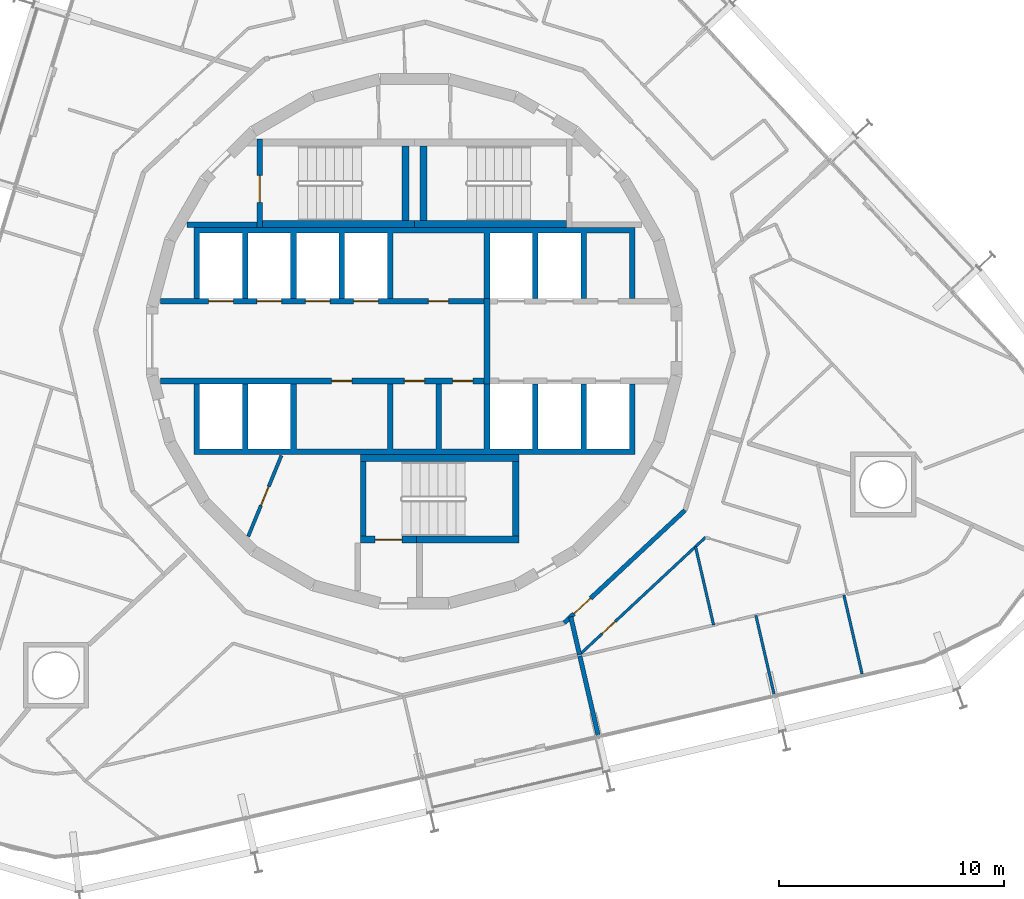
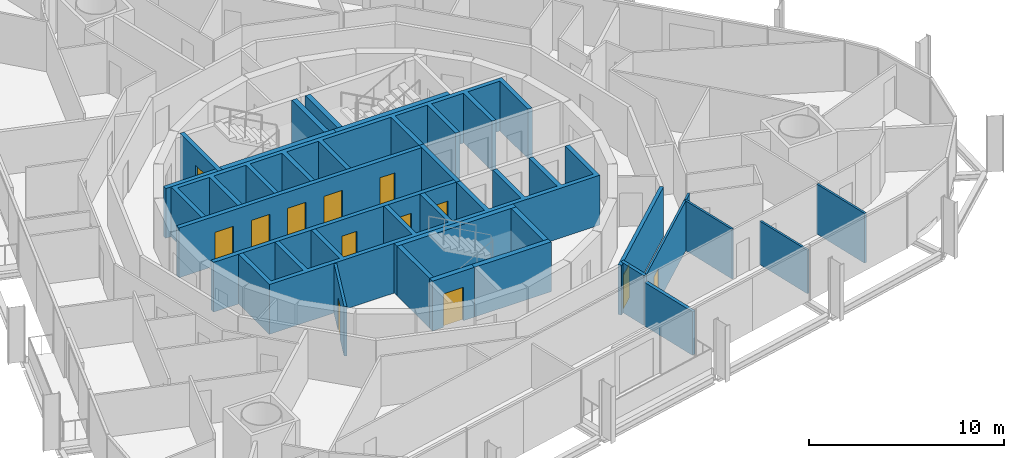
# One storey, part 13 of 18: 24 walls, 13 doors, 13 openings.
"""IFC4 building model written with IfcOpenShell, lengths in metres."""

import ifcopenshell
import ifcopenshell.guid

model = None  # the IFC model being written
_history = None  # IfcOwnerHistory: only IFC2X3 demands one
_inside = {}  # id of a spatial element -> (the spatial element, [elements in it])
_under = {}  # id of a project, library or spatial element -> (it, [spatial elements below it])
_declared = {}  # id of a project -> (the project, [libraries it declares])
_typed = {}  # id of a type object -> (the type object, [elements of that type])
_made_of = {}  # id of a material, layer set ... -> (it, [elements and type objects made of it])


def new_model(schema):
    """Start an empty IFC model of exactly this schema.

    Asked for "IFC4X3", IfcOpenShell would pick the latest addendum, in which some entities
    have other attributes; the version numbers below select the first issue.
    IFC2X3 requires an IfcOwnerHistory on every rooted entity: one is made here for all.
    """
    global model, _history
    if schema == "IFC4X3":
        model = ifcopenshell.file(schema_version=(4, 3, 0, 0))
    else:
        model = ifcopenshell.file(schema=schema)
    _inside.clear()
    _under.clear()
    _declared.clear()
    _typed.clear()
    _made_of.clear()
    _history = None
    if model.schema == "IFC2X3":
        org = make("IfcOrganization", Name="unknown")
        user = make(
            "IfcPersonAndOrganization",
            ThePerson=make("IfcPerson", FamilyName="unknown"),
            TheOrganization=org,
        )
        app = make(
            "IfcApplication",
            ApplicationDeveloper=org,
            Version="unknown",
            ApplicationFullName="unknown",
            ApplicationIdentifier="unknown",
        )
        _history = make(
            "IfcOwnerHistory",
            OwningUser=user,
            OwningApplication=app,
            ChangeAction="ADDED",
            CreationDate=0,
        )
    return model


def make(cls, **values):
    """One entity of the class cls with the attributes given. An attribute that is None is left unset."""
    return model.create_entity(
        cls, **{name: value for name, value in values.items() if value is not None}
    )


def rooted(cls, **values):
    """An entity with a GlobalId (a new one), such as an element, a storey or a relation."""
    return make(cls, GlobalId=ifcopenshell.guid.new(), OwnerHistory=_history, **values)


def si_unit(unit_type, name, prefix=None):
    """IfcSIUnit, for example si_unit("LENGTHUNIT", "METRE", prefix="MILLI")."""
    return make("IfcSIUnit", UnitType=unit_type, Prefix=prefix, Name=name)


def assignment(units):
    """IfcUnitAssignment: the units of a project."""
    return None if units is None else make("IfcUnitAssignment", Units=units)


def point(xyz):
    """IfcCartesianPoint."""
    return None if xyz is None else make("IfcCartesianPoint", Coordinates=xyz)


def direction(xyz):
    """IfcDirection."""
    return None if xyz is None else make("IfcDirection", DirectionRatios=xyz)


def frame(location, z_axis=None, x_axis=None):
    """IfcAxis2Placement3D, a coordinate frame: its origin and axes. An axis left out is left unset."""
    return make(
        "IfcAxis2Placement3D",
        Location=point(location),
        Axis=direction(z_axis),
        RefDirection=direction(x_axis),
    )


def frame_2d(location, x_axis=None):
    """IfcAxis2Placement2D, a coordinate frame in the plane: its origin and x axis."""
    return make(
        "IfcAxis2Placement2D", Location=point(location), RefDirection=direction(x_axis)
    )


def origin():
    """The frame at (0, 0, 0) with its axes left unset."""
    return frame((0.0, 0.0, 0.0))


def place(relative_to, where):
    """IfcLocalPlacement: puts the frame where relative to a parent placement (None: the world)."""
    return make(
        "IfcLocalPlacement", PlacementRelTo=relative_to, RelativePlacement=where
    )


def context(
    kind, dimensions, precision=None, world=None, true_north=None, identifier=None
):
    """IfcGeometricRepresentationContext, for example the 3D "Model" context."""
    return make(
        "IfcGeometricRepresentationContext",
        ContextIdentifier=identifier,
        ContextType=kind,
        CoordinateSpaceDimension=dimensions,
        Precision=precision,
        WorldCoordinateSystem=world,
        TrueNorth=true_north,
    )


def subcontext(parent, identifier, kind, view, scale=None):
    """IfcGeometricRepresentationSubContext, for example "Body" below "Model"."""
    return make(
        "IfcGeometricRepresentationSubContext",
        ContextIdentifier=identifier,
        ContextType=kind,
        ParentContext=parent,
        TargetScale=scale,
        TargetView=view,
    )


def project(units=None, contexts=None):
    """IfcProject with its units and contexts."""
    return rooted(
        "IfcProject",
        Name="project",
        RepresentationContexts=contexts,
        UnitsInContext=assignment(units),
    )


def spatial(cls, under=None, at=None, **own):
    """A site, building, storey or space (cls), placed at a placement, below another one or the project."""
    s = rooted(cls, ObjectPlacement=at, **own)
    if under is not None:
        _under.setdefault(under.id(), (under, []))[1].append(s)
    return s


def polyline(points):
    """IfcPolyline through the points."""
    return make("IfcPolyline", Points=[point(p) for p in points])


def profile(cls, at=None, kind="AREA", **sizes):
    """A parametric profile (cls). Its sizes go by their IFC names, for example OverallWidth=200.0."""
    return make(cls, ProfileType=kind, Position=at, **sizes)


def rectangle(**sizes):
    """IfcRectangleProfileDef."""
    return profile("IfcRectangleProfileDef", **sizes)


def outline(outer, holes=None, kind="AREA"):
    """IfcArbitraryClosedProfileDef: a profile drawn as a closed curve; with holes, ...WithVoids."""
    if holes is None:
        return make("IfcArbitraryClosedProfileDef", ProfileType=kind, OuterCurve=outer)
    return make(
        "IfcArbitraryProfileDefWithVoids",
        ProfileType=kind,
        OuterCurve=outer,
        InnerCurves=holes,
    )


def extrude(swept, where, along, depth):
    """IfcExtrudedAreaSolid: the profile swept, set in the frame where, extruded along a direction by depth."""
    return make(
        "IfcExtrudedAreaSolid",
        SweptArea=swept,
        Position=where,
        ExtrudedDirection=direction(along),
        Depth=depth,
    )


def shape(context_of_items, identifier, shape_type, items):
    """IfcShapeRepresentation: the items that make up one representation, for example the "Body"."""
    return make(
        "IfcShapeRepresentation",
        ContextOfItems=context_of_items,
        RepresentationIdentifier=identifier,
        RepresentationType=shape_type,
        Items=items,
    )


def material(Name=None, Category=None):
    """IfcMaterial."""
    return make("IfcMaterial", Name=Name, Category=Category)


def layer(
    of_material, thickness, ventilated=None, Name=None, Category=None, Priority=None
):
    """IfcMaterialLayer: one layer of a wall or slab, of a material (None: an air gap)."""
    return make(
        "IfcMaterialLayer",
        Material=of_material,
        LayerThickness=thickness,
        IsVentilated=ventilated,
        Name=Name,
        Category=Category,
        Priority=Priority,
    )


def layer_set(layers, Name=None):
    """IfcMaterialLayerSet."""
    return make("IfcMaterialLayerSet", MaterialLayers=layers, LayerSetName=Name)


def made_of(thing, what):
    """Note that an element or type object is made of a material, layer set ...; save() writes the relation."""
    if what is not None:
        _made_of.setdefault(what.id(), (what, []))[1].append(thing)
    return thing


def type_object(cls, material=None, **own):
    """A type object (cls), such as IfcWallType, which elements share."""
    return made_of(rooted(cls, **own), material)


def element(
    cls,
    number,
    at=None,
    inside=None,
    cuts=None,
    type_object=None,
    material=None,
    context=None,
    identifier="Body",
    shape_type=None,
    held_by="IfcProductDefinitionShape",
    body=None,
    shapes=None,
    **own,
):
    """One element of the class cls, such as IfcWall. Its Tag is "e" and its number.

    at: its placement. inside: the storey or other place that contains it. cuts: it is an
    opening in that element (IfcRelVoidsElement). A single representation is given by context,
    identifier, shape_type and body (its items); several are given by shapes. held_by: the class
    of the entity that holds the representations. save() writes the other relations.
    """
    e = rooted(cls, Tag="e%d" % number, ObjectPlacement=at, **own)
    if body is not None:
        shapes = [shape(context, identifier, shape_type, body)]
    if shapes is not None:
        e.Representation = make(held_by, Representations=shapes)
    if inside is not None:
        _inside.setdefault(inside.id(), (inside, []))[1].append(e)
    if cuts is not None:
        rooted(
            "IfcRelVoidsElement", RelatingBuildingElement=cuts, RelatedOpeningElement=e
        )
    if type_object is not None:
        _typed.setdefault(type_object.id(), (type_object, []))[1].append(e)
    return made_of(e, material)


def fill(opening, filler):
    """IfcRelFillsElement: the door or window that sits in an opening."""
    return rooted(
        "IfcRelFillsElement",
        RelatingOpeningElement=opening,
        RelatedBuildingElement=filler,
    )


def aggregate(whole, parts):
    """IfcRelAggregates: a whole, such as a stair, and the parts it consists of."""
    return rooted("IfcRelAggregates", RelatingObject=whole, RelatedObjects=parts)


def save(model, path):
    """Write the relations noted so far, then the file.

    IfcRelAggregates (storeys below a building ...), IfcRelContainedInSpatialStructure (elements
    in a storey), IfcRelDefinesByType, IfcRelAssociatesMaterial and IfcRelDeclares: one each for
    every whole, place, type object, material and project.
    """
    for whole, parts in _under.values():
        aggregate(whole, parts)
    for where, things in _inside.values():
        rooted(
            "IfcRelContainedInSpatialStructure",
            RelatedElements=things,
            RelatingStructure=where,
        )
    for kind, things in _typed.values():
        rooted("IfcRelDefinesByType", RelatedObjects=things, RelatingType=kind)
    for what, things in _made_of.values():
        rooted("IfcRelAssociatesMaterial", RelatedObjects=things, RelatingMaterial=what)
    for by, libraries in _declared.values():
        rooted("IfcRelDeclares", RelatingContext=by, RelatedDefinitions=libraries)
    model.write(path)


model = new_model("IFC4")

# Units and contexts
model_context = context("Model", 3, precision=1e-05, world=origin(), true_north=direction((0.0, 1.0)))
body_context = subcontext(model_context, "Body", "Model", "MODEL_VIEW")
ifc_project = project(units=[si_unit("LENGTHUNIT", "METRE"), si_unit("AREAUNIT", "SQUARE_METRE"), si_unit("VOLUMEUNIT", "CUBIC_METRE"), si_unit("PLANEANGLEUNIT", "RADIAN"), si_unit("MASSUNIT", "GRAM", prefix="KILO")], contexts=[model_context])

# Site, building, storey
site_placement = place(None, origin())
site = spatial("IfcSite", under=ifc_project, at=site_placement, CompositionType="ELEMENT")
building_placement = place(site_placement, origin())
building = spatial("IfcBuilding", under=site, at=building_placement, Name="Spindle Arch Residences", CompositionType="ELEMENT")
storey_placement = place(building_placement, frame((0.0, 0.0, 130.89990234375)))
storey = spatial("IfcBuildingStorey", under=building, at=storey_placement, Name="L32", CompositionType="ELEMENT", Elevation=130.89990234375)

# Wall, opening, door
ifc_material_1 = material(Name="Calcium silicate block, plastered")
ifc_layer_1 = layer(ifc_material_1, 0.199951171875)
ifc_layer_set_1 = layer_set([ifc_layer_1], Name="Corridor wall 200")
wall_type_1 = type_object("IfcWallType", Name="Corridor wall 200", PredefinedType="STANDARD", material=ifc_layer_set_1)
wall_1_placement = place(storey_placement, frame((6.65869140625, -12.523193359375, 0.0), z_axis=(0.0, 0.0, 1.0), x_axis=(0.731350455479, 0.682001841105, 0.0)))
wall_1 = element("IfcWall", 1, at=wall_1_placement, inside=storey, type_object=wall_type_1, Name="Corridor wall R3B1-W015", PredefinedType="STANDARD", context=body_context, shape_type="SweptSolid", body=[
    extrude(rectangle(XDim=7.341796875, YDim=0.199951171875, at=frame_2d((3.6708984375, 0.0))), origin(), (0.0, 0.0, 1.0), 3.1201171875),
])
opening_1_placement = place(wall_1_placement, frame((0.596923828125, 0.0, 0.0)))
opening_1 = element("IfcOpeningElement", 2, at=opening_1_placement, cuts=wall_1, Name="Opening R3B1-FD05", PredefinedType="OPENING", context=body_context, shape_type="SweptSolid", body=[
    extrude(rectangle(XDim=1.0, YDim=2.10009765625, at=frame_2d((0.5, 1.050048828125))), frame((0.0, 0.10986328125, 0.0), z_axis=(0.0, -1.0, 0.0), x_axis=(1.0, 0.0, 0.0)), (0.0, 0.0, 1.0), 0.219970703125),
])
ifc_material_2 = material(Name="Timber, fire-resisting door set", Category="wood")
door_type_1 = type_object("IfcDoorType", Name="Flat entrance door 1000x2100", OperationType="NOTDEFINED", PredefinedType="DOOR", material=ifc_material_2)
door_1_placement = place(opening_1_placement, origin())
door_1 = element("IfcDoor", 3, at=door_1_placement, inside=storey, type_object=door_type_1, Name="Flat entrance door R3B1-FD05", OperationType="SINGLE_SWING_RIGHT", OverallHeight=2.10009765625, OverallWidth=1.0, PredefinedType="DOOR", context=body_context, shape_type="SweptSolid", body=[
    extrude(rectangle(XDim=1.0, YDim=2.10009765625, at=frame_2d((0.5, 1.050048828125))), frame((0.0, 0.02490234375, 0.0), z_axis=(0.0, -1.0, 0.0), x_axis=(1.0, 0.0, 0.0)), (0.0, 0.0, 1.0), 0.050048828125),
])
fill(opening_1, door_1)

# Wall
ifc_material_3 = material(Name="Concrete C40/50", Category="concrete")
ifc_layer_2 = layer(ifc_material_3, 0.25)
ifc_layer_set_2 = layer_set([ifc_layer_2], Name="Fire-lift lobby wall 250")
wall_type_2 = type_object("IfcWallType", Name="Fire-lift lobby wall 250", PredefinedType="SHEAR", material=ifc_layer_set_2)
wall_2_placement = place(storey_placement, frame((3.22509765625, -1.89990234375, 0.0), z_axis=(0.0, 0.0, 1.0), x_axis=(0.0, 1.0, 0.0)))
element("IfcWall", 4, at=wall_2_placement, inside=storey, type_object=wall_type_2, Name="Fire-fighting lobby partition", PredefinedType="SHEAR", context=body_context, shape_type="SweptSolid", body=[
    extrude(rectangle(XDim=3.7998046875, YDim=0.25, at=frame_2d((1.89990234375, 0.0))), origin(), (0.0, 0.0, 1.0), 3.1201171875),
])

# Wall, opening, door
ifc_material_4 = material(Name="Plasterboard on steel studs", Category="steel")
ifc_layer_3 = layer(ifc_material_4, 0.1201171875)
ifc_layer_set_3 = layer_set([ifc_layer_3], Name="Flat partition 120")
wall_type_3 = type_object("IfcWallType", Name="Flat partition 120", PredefinedType="PARTITIONING", material=ifc_layer_set_3)
wall_3_placement = place(storey_placement, frame((7.3876953125, -13.894287109375, 0.0), z_axis=(0.0, 0.0, 1.0), x_axis=(0.731346321845, 0.682006273815, 0.0)))
wall_3 = element("IfcWall", 5, at=wall_3_placement, inside=storey, type_object=wall_type_3, Name="Flat partition R3B1-W085", PredefinedType="PARTITIONING", context=body_context, shape_type="SweptSolid", body=[
    extrude(rectangle(XDim=7.58544921875, YDim=0.1201171875, at=frame_2d((3.792724609375, 0.0))), origin(), (0.0, 0.0, 1.0), 3.1201171875),
])
opening_2_placement = place(wall_3_placement, frame((1.300048828125, 0.0, 0.0)))
opening_2 = element("IfcOpeningElement", 6, at=opening_2_placement, cuts=wall_3, Name="Opening R3B1-BD06", PredefinedType="OPENING", context=body_context, shape_type="SweptSolid", body=[
    extrude(rectangle(XDim=0.800048828125, YDim=2.10009765625, at=frame_2d((0.39990234375, 1.050048828125))), frame((0.0, 0.070068359375, 0.0), z_axis=(0.0, -1.0, 0.0), x_axis=(1.0, 0.0, 0.0)), (0.0, 0.0, 1.0), 0.14013671875),
])
ifc_material_5 = material(Name="Timber door set", Category="wood")
door_type_2 = type_object("IfcDoorType", Name="Bathroom door 800x2100", OperationType="NOTDEFINED", PredefinedType="DOOR", material=ifc_material_5)
door_2_placement = place(opening_2_placement, origin())
door_2 = element("IfcDoor", 7, at=door_2_placement, inside=storey, type_object=door_type_2, Name="Bathroom door R3B1-BD06", OperationType="SINGLE_SWING_RIGHT", OverallHeight=2.10009765625, OverallWidth=0.800048828125, PredefinedType="DOOR", context=body_context, shape_type="SweptSolid", body=[
    extrude(rectangle(XDim=0.800048828125, YDim=2.10009765625, at=frame_2d((0.39990234375, 1.050048828125))), frame((0.0, 0.02490234375, 0.0), z_axis=(0.0, -1.0, 0.0), x_axis=(1.0, 0.0, 0.0)), (0.0, 0.0, 1.0), 0.050048828125),
])
fill(opening_2, door_2)

# Walls
wall_4_placement = place(storey_placement, frame((13.29833984375, -12.622802734375, 0.0), z_axis=(0.0, 0.0, 1.0), x_axis=(-0.22499394936, 0.974360160696, 0.0)))
element("IfcWall", 8, at=wall_4_placement, inside=storey, type_object=wall_type_3, Name="Flat partition R3B1-W091", PredefinedType="PARTITIONING", context=body_context, shape_type="SweptSolid", body=[
    extrude(rectangle(XDim=3.580810546875, YDim=0.1201171875, at=frame_2d((1.79052734375, 0.0))), origin(), (0.0, 0.0, 1.0), 3.1201171875),
])
wall_5_placement = place(storey_placement, frame((19.896240234375, -14.794189453125, 0.0), z_axis=(0.0, 0.0, 1.0), x_axis=(-0.224958568294, 0.974368330023, 0.0)))
element("IfcWall", 9, at=wall_5_placement, inside=storey, type_object=wall_type_3, Name="Flat partition R3B1-W092", PredefinedType="PARTITIONING", context=body_context, shape_type="SweptSolid", body=[
    extrude(rectangle(XDim=3.599853515625, YDim=0.1201171875, at=frame_2d((1.7998046875, 0.0))), origin(), (0.0, 0.0, 1.0), 3.1201171875),
])
ifc_material_6 = material(Name="Plasterboard on steel studs", Category="steel")
ifc_layer_4 = layer(ifc_material_6, 0.1201171875)
ifc_layer_set_4 = layer_set([ifc_layer_4], Name="Flat partition 120 under beam 2730")
wall_type_4 = type_object("IfcWallType", Name="Flat partition 120 under beam 2730", PredefinedType="PARTITIONING", material=ifc_layer_set_4)
wall_6_placement = place(storey_placement, frame((15.984619140625, -15.697509765625, 0.0), z_axis=(0.0, 0.0, 1.0), x_axis=(-0.224943703639, 0.9743717618, 0.0)))
element("IfcWall", 10, at=wall_6_placement, inside=storey, type_object=wall_type_4, Name="Flat partition R3B1-W090", PredefinedType="PARTITIONING", context=body_context, shape_type="SweptSolid", body=[
    extrude(rectangle(XDim=3.60009765625, YDim=0.1201171875, at=frame_2d((1.800048828125, 0.0))), origin(), (0.0, 0.0, 1.0), 2.72998046875),
])
ifc_material_7 = material(Name="Calcium silicate block, plastered")
ifc_layer_5 = layer(ifc_material_7, 0.199951171875)
ifc_layer_set_5 = layer_set([ifc_layer_5], Name="Flat party wall 200")
wall_type_5 = type_object("IfcWallType", Name="Flat party wall 200", PredefinedType="STANDARD", material=ifc_layer_set_5)
wall_7_placement = place(storey_placement, frame((7.33984375, -13.9462890625, 0.0), z_axis=(0.0, 0.0, 1.0), x_axis=(-0.224849249613, 0.974393562658, 0.0)))
element("IfcWall", 11, at=wall_7_placement, inside=storey, type_object=wall_type_5, Name="Flat party wall R3B1-W022", PredefinedType="STANDARD", context=body_context, shape_type="SweptSolid", body=[
    extrude(rectangle(XDim=1.73828125, YDim=0.199951171875, at=frame_2d((0.869140625, 0.0))), origin(), (0.0, 0.0, 1.0), 3.1201171875),
])
ifc_material_8 = material(Name="Calcium silicate block, plastered")
ifc_layer_6 = layer(ifc_material_8, 0.199951171875)
ifc_layer_set_6 = layer_set([ifc_layer_6], Name="Flat party wall 200 under beam 2730")
wall_type_6 = type_object("IfcWallType", Name="Flat party wall 200 under beam 2730", PredefinedType="STANDARD", material=ifc_layer_set_6)
wall_8_placement = place(storey_placement, frame((8.1611328125, -17.503662109375, 0.0), z_axis=(0.0, 0.0, 1.0), x_axis=(-0.224943703639, 0.9743717618, 0.0)))
element("IfcWall", 12, at=wall_8_placement, inside=storey, type_object=wall_type_6, Name="Flat party wall R3B1-W023", PredefinedType="STANDARD", context=body_context, shape_type="SweptSolid", body=[
    extrude(rectangle(XDim=3.60009765625, YDim=0.199951171875, at=frame_2d((1.800048828125, 0.0))), origin(), (0.0, 0.0, 1.0), 2.72998046875),
])

# Wall, openings, doors
ifc_material_9 = material(Name="Concrete C50/60", Category="concrete")
ifc_layer_7 = layer(ifc_material_9, 0.25)
ifc_layer_set_7 = layer_set([ifc_layer_7], Name="Lift shaft wall 250")
wall_type_7 = type_object("IfcWallType", Name="Lift shaft wall 250", PredefinedType="SHEAR", material=ifc_layer_set_7)
wall_9_placement = place(storey_placement, frame((-11.280029296875, 1.77490234375, 0.0), z_axis=(0.0, 0.0, 1.0), x_axis=(1.0, 0.0, 0.0)))
wall_9 = element("IfcWall", 13, at=wall_9_placement, inside=storey, type_object=wall_type_7, Name="Lift shaft front wall NW", PredefinedType="SHEAR", context=body_context, shape_type="SweptSolid", body=[
    extrude(rectangle(XDim=14.380126953125, YDim=0.25, at=frame_2d((7.18994140625, 0.0))), origin(), (0.0, 0.0, 1.0), 3.1201171875),
])
opening_3_placement = place(wall_9_placement, frame((2.1298828125, 0.0, 0.0)))
opening_3 = element("IfcOpeningElement", 14, at=opening_3_placement, cuts=wall_9, Name="Opening R3B1-LD01", PredefinedType="OPENING", context=body_context, shape_type="SweptSolid", body=[
    extrude(rectangle(XDim=1.10009765625, YDim=2.10009765625, at=frame_2d((0.550048828125, 1.050048828125))), frame((0.0, 0.135009765625, 0.0), z_axis=(0.0, -1.0, 0.0), x_axis=(1.0, 0.0, 0.0)), (0.0, 0.0, 1.0), 0.27001953125),
])
opening_4_placement = place(wall_9_placement, frame((4.280029296875, 0.0, 0.0)))
opening_4 = element("IfcOpeningElement", 15, at=opening_4_placement, cuts=wall_9, Name="Opening R3B1-LD02", PredefinedType="OPENING", context=body_context, shape_type="SweptSolid", body=[
    extrude(rectangle(XDim=1.10009765625, YDim=2.10009765625, at=frame_2d((0.550048828125, 1.050048828125))), frame((0.0, 0.135009765625, 0.0), z_axis=(0.0, -1.0, 0.0), x_axis=(1.0, 0.0, 0.0)), (0.0, 0.0, 1.0), 0.27001953125),
])
opening_5_placement = place(wall_9_placement, frame((6.429931640625, 0.0, 0.0)))
opening_5 = element("IfcOpeningElement", 16, at=opening_5_placement, cuts=wall_9, Name="Opening R3B1-LD03", PredefinedType="OPENING", context=body_context, shape_type="SweptSolid", body=[
    extrude(rectangle(XDim=1.10009765625, YDim=2.10009765625, at=frame_2d((0.550048828125, 1.050048828125))), frame((0.0, 0.135009765625, 0.0), z_axis=(0.0, -1.0, 0.0), x_axis=(1.0, 0.0, 0.0)), (0.0, 0.0, 1.0), 0.27001953125),
])
opening_6_placement = place(wall_9_placement, frame((8.580078125, 0.0, 0.0)))
opening_6 = element("IfcOpeningElement", 17, at=opening_6_placement, cuts=wall_9, Name="Opening R3B1-LD04", PredefinedType="OPENING", context=body_context, shape_type="SweptSolid", body=[
    extrude(rectangle(XDim=1.10009765625, YDim=2.10009765625, at=frame_2d((0.550048828125, 1.050048828125))), frame((0.0, 0.135009765625, 0.0), z_axis=(0.0, -1.0, 0.0), x_axis=(1.0, 0.0, 0.0)), (0.0, 0.0, 1.0), 0.27001953125),
])
opening_7_placement = place(wall_9_placement, frame((11.905029296875, 0.0, 0.0)))
opening_7 = element("IfcOpeningElement", 18, at=opening_7_placement, cuts=wall_9, Name="Opening R3B1-WD01", PredefinedType="OPENING", context=body_context, shape_type="SweptSolid", body=[
    extrude(rectangle(XDim=0.89990234375, YDim=2.10009765625, at=frame_2d((0.449951171875, 1.050048828125))), frame((0.0, 0.135009765625, 0.0), z_axis=(0.0, -1.0, 0.0), x_axis=(1.0, 0.0, 0.0)), (0.0, 0.0, 1.0), 0.27001953125),
])
ifc_material_10 = material(Name="Steel, fire-resisting landing door", Category="steel")
door_type_3 = type_object("IfcDoorType", Name="Lift landing door 1100x2100", OperationType="DOUBLE_DOOR_SLIDING", PredefinedType="DOOR", material=ifc_material_10)
door_3_placement = place(opening_3_placement, origin())
door_3 = element("IfcDoor", 19, at=door_3_placement, inside=storey, type_object=door_type_3, Name="Lift landing door R3B1-LD01", OperationType="DOUBLE_DOOR_SLIDING", OverallHeight=2.10009765625, OverallWidth=1.10009765625, PredefinedType="DOOR", context=body_context, shape_type="SweptSolid", body=[
    extrude(rectangle(XDim=1.10009765625, YDim=2.10009765625, at=frame_2d((0.550048828125, 1.050048828125))), frame((0.0, 0.02490234375, 0.0), z_axis=(0.0, -1.0, 0.0), x_axis=(1.0, 0.0, 0.0)), (0.0, 0.0, 1.0), 0.050048828125),
])
fill(opening_3, door_3)
door_4_placement = place(opening_4_placement, origin())
door_4 = element("IfcDoor", 20, at=door_4_placement, inside=storey, type_object=door_type_3, Name="Lift landing door R3B1-LD02", OperationType="DOUBLE_DOOR_SLIDING", OverallHeight=2.10009765625, OverallWidth=1.10009765625, PredefinedType="DOOR", context=body_context, shape_type="SweptSolid", body=[
    extrude(rectangle(XDim=1.10009765625, YDim=2.10009765625, at=frame_2d((0.550048828125, 1.050048828125))), frame((0.0, 0.02490234375, 0.0), z_axis=(0.0, -1.0, 0.0), x_axis=(1.0, 0.0, 0.0)), (0.0, 0.0, 1.0), 0.050048828125),
])
fill(opening_4, door_4)
door_5_placement = place(opening_5_placement, origin())
door_5 = element("IfcDoor", 21, at=door_5_placement, inside=storey, type_object=door_type_3, Name="Lift landing door R3B1-LD03", OperationType="DOUBLE_DOOR_SLIDING", OverallHeight=2.10009765625, OverallWidth=1.10009765625, PredefinedType="DOOR", context=body_context, shape_type="SweptSolid", body=[
    extrude(rectangle(XDim=1.10009765625, YDim=2.10009765625, at=frame_2d((0.550048828125, 1.050048828125))), frame((0.0, 0.02490234375, 0.0), z_axis=(0.0, -1.0, 0.0), x_axis=(1.0, 0.0, 0.0)), (0.0, 0.0, 1.0), 0.050048828125),
])
fill(opening_5, door_5)
door_6_placement = place(opening_6_placement, origin())
door_6 = element("IfcDoor", 22, at=door_6_placement, inside=storey, type_object=door_type_3, Name="Lift landing door R3B1-LD04", OperationType="DOUBLE_DOOR_SLIDING", OverallHeight=2.10009765625, OverallWidth=1.10009765625, PredefinedType="DOOR", context=body_context, shape_type="SweptSolid", body=[
    extrude(rectangle(XDim=1.10009765625, YDim=2.10009765625, at=frame_2d((0.550048828125, 1.050048828125))), frame((0.0, 0.02490234375, 0.0), z_axis=(0.0, -1.0, 0.0), x_axis=(1.0, 0.0, 0.0)), (0.0, 0.0, 1.0), 0.050048828125),
])
fill(opening_6, door_6)
ifc_material_11 = material(Name="Steel, fire-resisting door", Category="steel")
door_type_4 = type_object("IfcDoorType", Name="Service room door 900x2100", OperationType="SINGLE_SWING_LEFT", PredefinedType="DOOR", material=ifc_material_11)
door_7_placement = place(opening_7_placement, origin())
door_7 = element("IfcDoor", 23, at=door_7_placement, inside=storey, type_object=door_type_4, Name="Service room door R3B1-WD01", OperationType="SINGLE_SWING_RIGHT", OverallHeight=2.10009765625, OverallWidth=0.89990234375, PredefinedType="DOOR", context=body_context, shape_type="SweptSolid", body=[
    extrude(rectangle(XDim=0.89990234375, YDim=2.10009765625, at=frame_2d((0.449951171875, 1.050048828125))), frame((0.0, 0.02490234375, 0.0), z_axis=(0.0, -1.0, 0.0), x_axis=(1.0, 0.0, 0.0)), (0.0, 0.0, 1.0), 0.050048828125),
])
fill(opening_7, door_7)

wall_10_placement = place(storey_placement, frame((-11.280029296875, -1.77490234375, 0.0), z_axis=(0.0, 0.0, 1.0), x_axis=(1.0, 0.0, 0.0)))
wall_10 = element("IfcWall", 24, at=wall_10_placement, inside=storey, type_object=wall_type_7, Name="Lift shaft front wall SW", PredefinedType="SHEAR", context=body_context, shape_type="SweptSolid", body=[
    extrude(rectangle(XDim=14.380126953125, YDim=0.25, at=frame_2d((7.18994140625, 0.0))), origin(), (0.0, 0.0, 1.0), 3.1201171875),
])
opening_8_placement = place(wall_10_placement, frame((7.60498046875, 0.0, 0.0)))
opening_8 = element("IfcOpeningElement", 25, at=opening_8_placement, cuts=wall_10, Name="Opening R3B1-WD03", PredefinedType="OPENING", context=body_context, shape_type="SweptSolid", body=[
    extrude(rectangle(XDim=0.89990234375, YDim=2.10009765625, at=frame_2d((0.449951171875, 1.050048828125))), frame((0.0, 0.135009765625, 0.0), z_axis=(0.0, -1.0, 0.0), x_axis=(1.0, 0.0, 0.0)), (0.0, 0.0, 1.0), 0.27001953125),
])
opening_9_placement = place(wall_10_placement, frame((10.830078125, 0.0, 0.0)))
opening_9 = element("IfcOpeningElement", 26, at=opening_9_placement, cuts=wall_10, Name="Opening R3B1-WD04", PredefinedType="OPENING", context=body_context, shape_type="SweptSolid", body=[
    extrude(rectangle(XDim=0.89990234375, YDim=2.10009765625, at=frame_2d((0.449951171875, 1.050048828125))), frame((0.0, 0.135009765625, 0.0), z_axis=(0.0, -1.0, 0.0), x_axis=(1.0, 0.0, 0.0)), (0.0, 0.0, 1.0), 0.27001953125),
])
opening_10_placement = place(wall_10_placement, frame((12.97998046875, 0.0, 0.0)))
opening_10 = element("IfcOpeningElement", 27, at=opening_10_placement, cuts=wall_10, Name="Opening R3B1-WD05", PredefinedType="OPENING", context=body_context, shape_type="SweptSolid", body=[
    extrude(rectangle(XDim=0.89990234375, YDim=2.10009765625, at=frame_2d((0.449951171875, 1.050048828125))), frame((0.0, 0.135009765625, 0.0), z_axis=(0.0, -1.0, 0.0), x_axis=(1.0, 0.0, 0.0)), (0.0, 0.0, 1.0), 0.27001953125),
])
door_8_placement = place(opening_8_placement, origin())
door_8 = element("IfcDoor", 28, at=door_8_placement, inside=storey, type_object=door_type_4, Name="Service room door R3B1-WD03", OperationType="SINGLE_SWING_RIGHT", OverallHeight=2.10009765625, OverallWidth=0.89990234375, PredefinedType="DOOR", context=body_context, shape_type="SweptSolid", body=[
    extrude(rectangle(XDim=0.89990234375, YDim=2.10009765625, at=frame_2d((0.449951171875, 1.050048828125))), frame((0.0, 0.02490234375, 0.0), z_axis=(0.0, -1.0, 0.0), x_axis=(1.0, 0.0, 0.0)), (0.0, 0.0, 1.0), 0.050048828125),
])
fill(opening_8, door_8)
door_9_placement = place(opening_9_placement, origin())
door_9 = element("IfcDoor", 29, at=door_9_placement, inside=storey, type_object=door_type_4, Name="Service room door R3B1-WD04", OperationType="SINGLE_SWING_LEFT", OverallHeight=2.10009765625, OverallWidth=0.89990234375, PredefinedType="DOOR", context=body_context, shape_type="SweptSolid", body=[
    extrude(rectangle(XDim=0.89990234375, YDim=2.10009765625, at=frame_2d((0.449951171875, 1.050048828125))), frame((0.0, 0.02490234375, 0.0), z_axis=(0.0, -1.0, 0.0), x_axis=(1.0, 0.0, 0.0)), (0.0, 0.0, 1.0), 0.050048828125),
])
fill(opening_9, door_9)
door_10_placement = place(opening_10_placement, origin())
door_10 = element("IfcDoor", 30, at=door_10_placement, inside=storey, type_object=door_type_4, Name="Service room door R3B1-WD05", OperationType="SINGLE_SWING_RIGHT", OverallHeight=2.10009765625, OverallWidth=0.89990234375, PredefinedType="DOOR", context=body_context, shape_type="SweptSolid", body=[
    extrude(rectangle(XDim=0.89990234375, YDim=2.10009765625, at=frame_2d((0.449951171875, 1.050048828125))), frame((0.0, 0.02490234375, 0.0), z_axis=(0.0, -1.0, 0.0), x_axis=(1.0, 0.0, 0.0)), (0.0, 0.0, 1.0), 0.050048828125),
])
fill(opening_10, door_10)

# Walls
ifc_material_12 = material(Name="Concrete C50/60", Category="concrete")
wall_type_8 = type_object("IfcWallType", Name="Lift shaft wall profile", PredefinedType="SHEAR", material=ifc_material_12)
wall_11_placement = place(storey_placement, origin())
element("IfcWall", 31, at=wall_11_placement, inside=storey, type_object=wall_type_8, Name="Lift shaft walls N", PredefinedType="SHEAR", context=body_context, shape_type="SweptSolid", body=[
    extrude(outline(polyline([(-9.550048828125, 4.800048828125), (-7.64990234375, 4.800048828125), (-7.64990234375, 1.89990234375), (-7.39990234375, 1.89990234375), (-7.39990234375, 4.800048828125), (-5.5, 4.800048828125), (-5.5, 1.89990234375), (-5.25, 1.89990234375), (-5.25, 4.800048828125), (-3.35009765625, 4.800048828125), (-3.35009765625, 1.89990234375), (-3.10009765625, 1.89990234375), (-3.10009765625, 4.800048828125), (-1.199951171875, 4.800048828125), (-1.199951171875, 1.89990234375), (-0.949951171875, 1.89990234375), (-0.949951171875, 4.800048828125), (3.10009765625, 4.800048828125), (3.10009765625, 1.89990234375), (3.35009765625, 1.89990234375), (3.35009765625, 4.800048828125), (5.25, 4.800048828125), (5.25, 1.89990234375), (5.5, 1.89990234375), (5.5, 4.800048828125), (7.39990234375, 4.800048828125), (7.39990234375, 1.89990234375), (7.64990234375, 1.89990234375), (7.64990234375, 4.800048828125), (9.550048828125, 4.800048828125), (9.550048828125, 1.89990234375), (9.800048828125, 1.89990234375), (9.800048828125, 4.800048828125), (9.800048828125, 5.050048828125), (-9.800048828125, 5.050048828125), (-9.800048828125, 4.800048828125), (-9.800048828125, 1.89990234375), (-9.550048828125, 1.89990234375), (-9.550048828125, 4.800048828125)])), origin(), (0.0, 0.0, 1.0), 3.1201171875),
])
wall_12_placement = place(storey_placement, origin())
element("IfcWall", 32, at=wall_12_placement, inside=storey, type_object=wall_type_8, Name="Lift shaft walls S", PredefinedType="SHEAR", context=body_context, shape_type="SweptSolid", body=[
    extrude(outline(polyline([(9.800048828125, -5.050048828125), (9.800048828125, -4.800048828125), (9.800048828125, -1.89990234375), (9.550048828125, -1.89990234375), (9.550048828125, -4.800048828125), (7.64990234375, -4.800048828125), (7.64990234375, -1.89990234375), (7.39990234375, -1.89990234375), (7.39990234375, -4.800048828125), (5.5, -4.800048828125), (5.5, -1.89990234375), (5.25, -1.89990234375), (5.25, -4.800048828125), (3.35009765625, -4.800048828125), (3.35009765625, -1.89990234375), (3.10009765625, -1.89990234375), (3.10009765625, -4.800048828125), (1.199951171875, -4.800048828125), (1.199951171875, -1.89990234375), (0.949951171875, -1.89990234375), (0.949951171875, -4.800048828125), (-0.949951171875, -4.800048828125), (-0.949951171875, -1.89990234375), (-1.199951171875, -1.89990234375), (-1.199951171875, -4.800048828125), (-5.25, -4.800048828125), (-5.25, -1.89990234375), (-5.5, -1.89990234375), (-5.5, -4.800048828125), (-7.39990234375, -4.800048828125), (-7.39990234375, -1.89990234375), (-7.64990234375, -1.89990234375), (-7.64990234375, -4.800048828125), (-9.550048828125, -4.800048828125), (-9.550048828125, -1.89990234375), (-9.800048828125, -1.89990234375), (-9.800048828125, -4.800048828125), (-9.800048828125, -5.050048828125), (9.800048828125, -5.050048828125)])), origin(), (0.0, 0.0, 1.0), 3.1201171875),
])

# Wall, opening, door
ifc_material_13 = material(Name="Concrete C25/30", Category="concrete")
ifc_layer_8 = layer(ifc_material_13, 0.14990234375)
ifc_layer_set_8 = layer_set([ifc_layer_8], Name="Service room partition 150")
wall_type_9 = type_object("IfcWallType", Name="Service room partition 150", PredefinedType="PARTITIONING", material=ifc_layer_set_8)
wall_13_placement = place(storey_placement, frame((-7.385009765625, -8.680908203125, 0.0), z_axis=(0.0, 0.0, 1.0), x_axis=(0.379804590409, 0.925066739811, 0.0)))
wall_13 = element("IfcWall", 33, at=wall_13_placement, inside=storey, type_object=wall_type_9, Name="Core service room partition", PredefinedType="PARTITIONING", context=body_context, shape_type="SweptSolid", body=[
    extrude(rectangle(XDim=3.885009765625, YDim=0.14990234375, at=frame_2d((1.9423828125, 0.0))), origin(), (0.0, 0.0, 1.0), 3.1201171875),
])
opening_11_placement = place(wall_13_placement, frame((1.49267578125, 0.0, 0.0)))
opening_11 = element("IfcOpeningElement", 34, at=opening_11_placement, cuts=wall_13, Name="Opening R3B1-WD06", PredefinedType="OPENING", context=body_context, shape_type="SweptSolid", body=[
    extrude(rectangle(XDim=0.89990234375, YDim=2.10009765625, at=frame_2d((0.449951171875, 1.050048828125))), frame((0.0, 0.0849609375, 0.0), z_axis=(0.0, -1.0, 0.0), x_axis=(1.0, 0.0, 0.0)), (0.0, 0.0, 1.0), 0.169921875),
])
door_11_placement = place(opening_11_placement, origin())
door_11 = element("IfcDoor", 35, at=door_11_placement, inside=storey, type_object=door_type_4, Name="Service room door R3B1-WD06", OperationType="SINGLE_SWING_LEFT", OverallHeight=2.10009765625, OverallWidth=0.89990234375, PredefinedType="DOOR", context=body_context, shape_type="SweptSolid", body=[
    extrude(rectangle(XDim=0.89990234375, YDim=2.10009765625, at=frame_2d((0.449951171875, 1.050048828125))), frame((0.0, 0.02490234375, 0.0), z_axis=(0.0, -1.0, 0.0), x_axis=(1.0, 0.0, 0.0)), (0.0, 0.0, 1.0), 0.050048828125),
])
fill(opening_11, door_11)

# Wall
ifc_material_14 = material(Name="Concrete C40/50", Category="concrete")
ifc_layer_9 = layer(ifc_material_14, 0.25)
ifc_layer_set_9 = layer_set([ifc_layer_9], Name="Stair airlock wall 250")
wall_type_10 = type_object("IfcWallType", Name="Stair airlock wall 250", PredefinedType="SHEAR", material=ifc_layer_set_9)
wall_14_placement = place(storey_placement, frame((-7.0, 5.175048828125, 0.0), z_axis=(0.0, 0.0, 1.0), x_axis=(-1.0, 0.0, 0.0)))
element("IfcWall", 36, at=wall_14_placement, inside=storey, type_object=wall_type_10, Name="Stair ST-2 airlock wall S", PredefinedType="SHEAR", context=body_context, shape_type="SweptSolid", body=[
    extrude(rectangle(XDim=3.10009765625, YDim=0.25, at=frame_2d((1.550048828125, 0.0))), origin(), (0.0, 0.0, 1.0), 3.1201171875),
])

# Wall, opening, door
ifc_material_15 = material(Name="Concrete C50/60", Category="concrete")
ifc_layer_10 = layer(ifc_material_15, 0.25)
ifc_layer_set_10 = layer_set([ifc_layer_10], Name="Stair enclosure wall 250")
wall_type_11 = type_object("IfcWallType", Name="Stair enclosure wall 250", PredefinedType="SHEAR", material=ifc_layer_set_10)
wall_15_placement = place(storey_placement, frame((-6.875, 8.969970703125, 0.0), z_axis=(0.0, 0.0, 1.0), x_axis=(0.0, -1.0, 0.0)))
wall_15 = element("IfcWall", 37, at=wall_15_placement, inside=storey, type_object=wall_type_11, Name="Stair ST-2 door wall", PredefinedType="SHEAR", context=body_context, shape_type="SweptSolid", body=[
    extrude(rectangle(XDim=3.919921875, YDim=0.25, at=frame_2d((1.9599609375, 0.0))), origin(), (0.0, 0.0, 1.0), 3.1201171875),
])
opening_12_placement = place(wall_15_placement, frame((1.610107421875, 0.0, 0.0)))
opening_12 = element("IfcOpeningElement", 38, at=opening_12_placement, cuts=wall_15, Name="Opening R3B1-SD02", PredefinedType="OPENING", context=body_context, shape_type="SweptSolid", body=[
    extrude(rectangle(XDim=1.199951171875, YDim=2.10009765625, at=frame_2d((0.60009765625, 1.050048828125))), frame((0.0, 0.135009765625, 0.0), z_axis=(0.0, -1.0, 0.0), x_axis=(1.0, 0.0, 0.0)), (0.0, 0.0, 1.0), 0.27001953125),
])
ifc_material_16 = material(Name="Steel, fire-resisting door", Category="steel")
door_type_5 = type_object("IfcDoorType", Name="Stair door 1200x2100", OperationType="SINGLE_SWING_RIGHT", PredefinedType="DOOR", material=ifc_material_16)
door_12_placement = place(opening_12_placement, origin())
door_12 = element("IfcDoor", 39, at=door_12_placement, inside=storey, type_object=door_type_5, Name="Stair door R3B1-SD02", OperationType="SINGLE_SWING_LEFT", OverallHeight=2.10009765625, OverallWidth=1.199951171875, PredefinedType="DOOR", context=body_context, shape_type="SweptSolid", body=[
    extrude(rectangle(XDim=1.199951171875, YDim=2.10009765625, at=frame_2d((0.60009765625, 1.050048828125))), frame((0.0, 0.02490234375, 0.0), z_axis=(0.0, -1.0, 0.0), x_axis=(1.0, 0.0, 0.0)), (0.0, 0.0, 1.0), 0.050048828125),
])
fill(opening_12, door_12)

# Walls
wall_16_placement = place(storey_placement, frame((-2.27490234375, -8.669921875, 0.0), z_axis=(0.0, 0.0, 1.0), x_axis=(0.0, 1.0, 0.0)))
element("IfcWall", 40, at=wall_16_placement, inside=storey, type_object=wall_type_11, Name="Stair ST-3 enclosure wall W", PredefinedType="SHEAR", context=body_context, shape_type="SweptSolid", body=[
    extrude(rectangle(XDim=3.31982421875, YDim=0.25, at=frame_2d((1.659912109375, 0.0))), origin(), (0.0, 0.0, 1.0), 3.1201171875),
])
ifc_material_17 = material(Name="Concrete C50/60", Category="concrete")
ifc_layer_11 = layer(ifc_material_17, 0.300048828125)
ifc_layer_set_11 = layer_set([ifc_layer_11], Name="Stair enclosure wall 300")
wall_type_12 = type_object("IfcWallType", Name="Stair enclosure wall 300", PredefinedType="SHEAR", material=ifc_layer_set_11)
wall_17_placement = place(storey_placement, frame((0.0, 5.199951171875, 0.0), z_axis=(0.0, 0.0, 1.0), x_axis=(1.0, 0.0, 0.0)))
element("IfcWall", 41, at=wall_17_placement, inside=storey, type_object=wall_type_12, Name="Stair ST-1 enclosure wall S", PredefinedType="SHEAR", context=body_context, shape_type="SweptSolid", body=[
    extrude(rectangle(XDim=6.75, YDim=0.300048828125, at=frame_2d((3.375, 0.0))), origin(), (0.0, 0.0, 1.0), 3.1201171875),
])
wall_18_placement = place(storey_placement, frame((0.39990234375, 5.35009765625, 0.0), z_axis=(0.0, 0.0, 1.0), x_axis=(0.0, 1.0, 0.0)))
element("IfcWall", 42, at=wall_18_placement, inside=storey, type_object=wall_type_12, Name="Stair ST-1 enclosure wall F", PredefinedType="SHEAR", context=body_context, shape_type="SweptSolid", body=[
    extrude(rectangle(XDim=3.31982421875, YDim=0.300048828125, at=frame_2d((1.659912109375, 0.0))), origin(), (0.0, 0.0, 1.0), 3.1201171875),
])
wall_19_placement = place(storey_placement, frame((-6.75, 5.199951171875, 0.0), z_axis=(0.0, 0.0, 1.0), x_axis=(1.0, 0.0, 0.0)))
element("IfcWall", 43, at=wall_19_placement, inside=storey, type_object=wall_type_12, Name="Stair ST-2 enclosure wall S", PredefinedType="SHEAR", context=body_context, shape_type="SweptSolid", body=[
    extrude(rectangle(XDim=6.75, YDim=0.300048828125, at=frame_2d((3.375, 0.0))), origin(), (0.0, 0.0, 1.0), 3.1201171875),
])
wall_20_placement = place(storey_placement, frame((-0.39990234375, 5.35009765625, 0.0), z_axis=(0.0, 0.0, 1.0), x_axis=(0.0, 1.0, 0.0)))
element("IfcWall", 44, at=wall_20_placement, inside=storey, type_object=wall_type_12, Name="Stair ST-2 enclosure wall F", PredefinedType="SHEAR", context=body_context, shape_type="SweptSolid", body=[
    extrude(rectangle(XDim=3.31982421875, YDim=0.300048828125, at=frame_2d((1.659912109375, 0.0))), origin(), (0.0, 0.0, 1.0), 3.1201171875),
])
wall_21_placement = place(storey_placement, frame((-2.39990234375, -5.199951171875, 0.0), z_axis=(0.0, 0.0, 1.0), x_axis=(1.0, 0.0, 0.0)))
element("IfcWall", 45, at=wall_21_placement, inside=storey, type_object=wall_type_12, Name="Stair ST-3 enclosure wall N", PredefinedType="SHEAR", context=body_context, shape_type="SweptSolid", body=[
    extrude(rectangle(XDim=7.0498046875, YDim=0.300048828125, at=frame_2d((3.52490234375, 0.0))), origin(), (0.0, 0.0, 1.0), 3.1201171875),
])
wall_22_placement = place(storey_placement, frame((4.5, -8.669921875, 0.0), z_axis=(0.0, 0.0, 1.0), x_axis=(0.0, 1.0, 0.0)))
element("IfcWall", 46, at=wall_22_placement, inside=storey, type_object=wall_type_12, Name="Stair ST-3 enclosure wall E", PredefinedType="SHEAR", context=body_context, shape_type="SweptSolid", body=[
    extrude(rectangle(XDim=3.31982421875, YDim=0.300048828125, at=frame_2d((1.659912109375, 0.0))), origin(), (0.0, 0.0, 1.0), 3.1201171875),
])
wall_23_placement = place(storey_placement, frame((0.10009765625, -8.820068359375, 0.0), z_axis=(0.0, 0.0, 1.0), x_axis=(1.0, 0.0, 0.0)))
element("IfcWall", 47, at=wall_23_placement, inside=storey, type_object=wall_type_12, Name="Stair ST-3 enclosure wall S", PredefinedType="SHEAR", context=body_context, shape_type="SweptSolid", body=[
    extrude(rectangle(XDim=4.5498046875, YDim=0.300048828125, at=frame_2d((2.27490234375, 0.0))), origin(), (0.0, 0.0, 1.0), 3.1201171875),
])

# Wall, opening, door
wall_24_placement = place(storey_placement, frame((-2.39990234375, -8.820068359375, 0.0), z_axis=(0.0, 0.0, 1.0), x_axis=(1.0, 0.0, 0.0)))
wall_24 = element("IfcWall", 48, at=wall_24_placement, inside=storey, type_object=wall_type_12, Name="Stair ST-3 door wall", PredefinedType="SHEAR", context=body_context, shape_type="SweptSolid", body=[
    extrude(rectangle(XDim=2.5, YDim=0.300048828125, at=frame_2d((1.25, 0.0))), origin(), (0.0, 0.0, 1.0), 3.1201171875),
])
opening_13_placement = place(wall_24_placement, frame((0.64990234375, 0.0, 0.0)))
opening_13 = element("IfcOpeningElement", 49, at=opening_13_placement, cuts=wall_24, Name="Opening R3B1-SD03", PredefinedType="OPENING", context=body_context, shape_type="SweptSolid", body=[
    extrude(rectangle(XDim=1.199951171875, YDim=2.10009765625, at=frame_2d((0.60009765625, 1.050048828125))), frame((0.0, 0.16015625, 0.0), z_axis=(0.0, -1.0, 0.0), x_axis=(1.0, 0.0, 0.0)), (0.0, 0.0, 1.0), 0.320068359375),
])
door_13_placement = place(opening_13_placement, origin())
door_13 = element("IfcDoor", 50, at=door_13_placement, inside=storey, type_object=door_type_5, Name="Stair door R3B1-SD03", OperationType="SINGLE_SWING_LEFT", OverallHeight=2.10009765625, OverallWidth=1.199951171875, PredefinedType="DOOR", context=body_context, shape_type="SweptSolid", body=[
    extrude(rectangle(XDim=1.199951171875, YDim=2.10009765625, at=frame_2d((0.60009765625, 1.050048828125))), frame((0.0, 0.02490234375, 0.0), z_axis=(0.0, -1.0, 0.0), x_axis=(1.0, 0.0, 0.0)), (0.0, 0.0, 1.0), 0.050048828125),
])
fill(opening_13, door_13)

save(model, "model.ifc")
